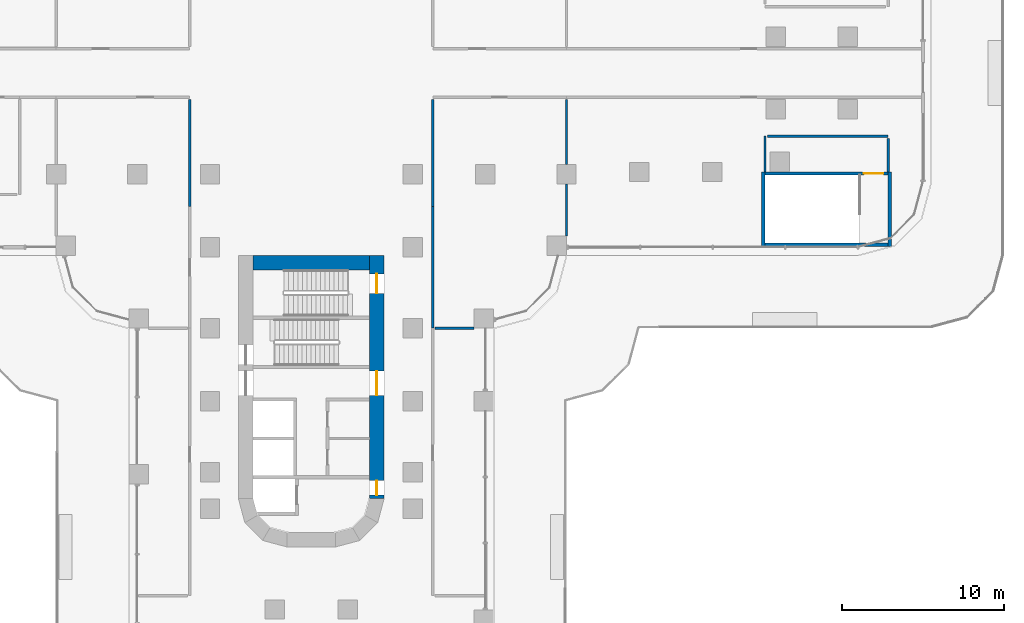
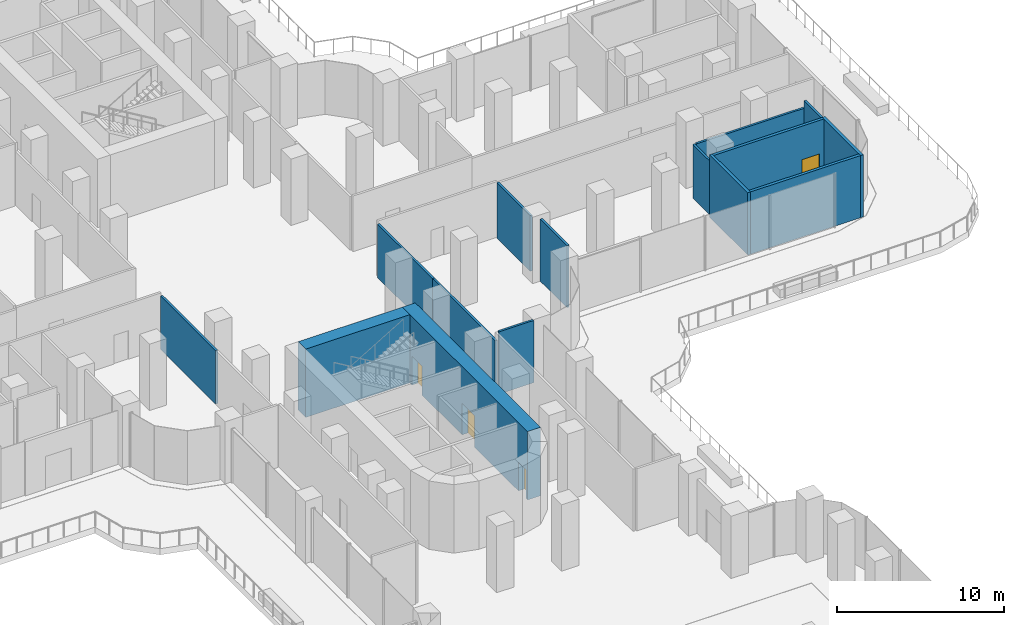
# One storey, part 14 of 21: 15 walls, 4 doors, 4 openings.
"""IFC4 building model written with IfcOpenShell, lengths in metres."""

from ifc_helpers import new_model, si_unit, direction, frame, frame_2d, origin, place, context, subcontext, project, spatial, rectangle, extrude, material, layer, layer_set, type_object, element, fill, save


model = new_model("IFC4")

# Units and contexts
model_context = context("Model", 3, precision=1e-05, world=origin(), true_north=direction((0.0, 1.0)))
body_context = subcontext(model_context, "Body", "Model", "MODEL_VIEW")
ifc_project = project(units=[si_unit("LENGTHUNIT", "METRE"), si_unit("AREAUNIT", "SQUARE_METRE"), si_unit("VOLUMEUNIT", "CUBIC_METRE"), si_unit("PLANEANGLEUNIT", "RADIAN"), si_unit("MASSUNIT", "GRAM", prefix="KILO")], contexts=[model_context])

# Site, building, storey
site_placement = place(None, origin())
site = spatial("IfcSite", under=ifc_project, at=site_placement, CompositionType="ELEMENT")
building_placement = place(site_placement, origin())
building = spatial("IfcBuilding", under=site, at=building_placement, Name="Zarbagh Exchange Tower", CompositionType="ELEMENT")
storey_placement = place(building_placement, frame((0.0, 0.0, 22.0)))
storey = spatial("IfcBuildingStorey", under=building, at=storey_placement, Name="L04", CompositionType="ELEMENT", Elevation=22.0)

# Walls
ifc_material_1 = material(Name="Plasterboard partition")
ifc_layer_1 = layer(ifc_material_1, 0.14990234375)
ifc_layer_set_1 = layer_set([ifc_layer_1], Name="Board partition 150")
wall_type_1 = type_object("IfcWallType", Name="Board partition 150", PredefinedType="PARTITIONING", material=ifc_layer_set_1)
wall_1_placement = place(storey_placement, frame((28.0, -6.10009765625, 0.0), z_axis=(0.0, 0.0, 1.0), x_axis=(0.0, 1.0, 0.0)))
element("IfcWall", 1, at=wall_1_placement, inside=storey, type_object=wall_type_1, Name="WL-L04-W012", PredefinedType="PARTITIONING", context=body_context, shape_type="SweptSolid", body=[
    extrude(rectangle(XDim=2.2001953125, YDim=0.14990234375, at=frame_2d((1.10009765625, 0.0))), origin(), (0.0, 0.0, 1.0), 3.929931640625),
])
wall_2_placement = place(storey_placement, frame((28.14990234375, -3.89990234375, 0.0), z_axis=(0.0, 0.0, 1.0), x_axis=(1.0, 0.0, 0.0)))
element("IfcWall", 2, at=wall_2_placement, inside=storey, type_object=wall_type_1, Name="WL-L04-W013", PredefinedType="PARTITIONING", context=body_context, shape_type="SweptSolid", body=[
    extrude(rectangle(XDim=7.4501953125, YDim=0.14990234375, at=frame_2d((3.72509765625, 0.0))), origin(), (0.0, 0.0, 1.0), 3.929931640625),
])
wall_3_placement = place(storey_placement, frame((35.60009765625, -4.050048828125, 0.0), z_axis=(0.0, 0.0, 1.0), x_axis=(0.0, -1.0, 0.0)))
element("IfcWall", 3, at=wall_3_placement, inside=storey, type_object=wall_type_1, Name="WL-L04-W014", PredefinedType="PARTITIONING", context=body_context, shape_type="SweptSolid", body=[
    extrude(rectangle(XDim=2.050048828125, YDim=0.14990234375, at=frame_2d((1.02490234375, 0.0))), origin(), (0.0, 0.0, 1.0), 4.550048828125),
])
wall_4_placement = place(storey_placement, frame((7.5, -8.25, 0.0), z_axis=(0.0, 0.0, 1.0), x_axis=(0.0, -1.0, 0.0)))
element("IfcWall", 4, at=wall_4_placement, inside=storey, type_object=wall_type_1, Name="WL-L04-W029", PredefinedType="PARTITIONING", context=body_context, shape_type="SweptSolid", body=[
    extrude(rectangle(XDim=7.5, YDim=0.14990234375, at=frame_2d((3.75, 0.0))), origin(), (0.0, 0.0, 1.0), 3.929931640625),
])
wall_5_placement = place(storey_placement, frame((15.75, -1.64990234375, 0.0), z_axis=(0.0, 0.0, 1.0), x_axis=(0.0, -1.0, 0.0)))
element("IfcWall", 5, at=wall_5_placement, inside=storey, type_object=wall_type_1, Name="WL-L04-W052", PredefinedType="PARTITIONING", context=body_context, shape_type="SweptSolid", body=[
    extrude(rectangle(XDim=4.0, YDim=0.14990234375, at=frame_2d((2.0, 0.0))), origin(), (0.0, 0.0, 1.0), 4.06298828125),
])
wall_6_placement = place(storey_placement, frame((15.75, -6.85009765625, 0.0), z_axis=(0.0, 0.0, 1.0), x_axis=(0.0, -1.0, 0.0)))
element("IfcWall", 6, at=wall_6_placement, inside=storey, type_object=wall_type_1, Name="WL-L04-W053", PredefinedType="PARTITIONING", context=body_context, shape_type="SweptSolid", body=[
    extrude(rectangle(XDim=3.199951171875, YDim=0.14990234375, at=frame_2d((1.60009765625, 0.0))), origin(), (0.0, 0.0, 1.0), 4.550048828125),
])
wall_7_placement = place(storey_placement, frame((10.050048828125, -15.75, 0.0), z_axis=(0.0, 0.0, 1.0), x_axis=(-1.0, 0.0, 0.0)))
element("IfcWall", 7, at=wall_7_placement, inside=storey, type_object=wall_type_1, Name="WL-L04-W054", PredefinedType="PARTITIONING", context=body_context, shape_type="SweptSolid", body=[
    extrude(rectangle(XDim=2.400146484375, YDim=0.14990234375, at=frame_2d((1.2001953125, 0.0))), origin(), (0.0, 0.0, 1.0), 4.550048828125),
])
for number, where, z_axis, x_axis, name in (
    (8, (7.5, -8.25, 0.0), (0.0, 0.0, 1.0), (0.0, 1.0, 0.0), "WL-L04-W055"),
    (9, (-7.5, -1.64990234375, 0.0), (0.0, 0.0, 1.0), (0.0, -1.0, 0.0), "WL-L04-W060"),
):
    element("IfcWall", number, at=place(storey_placement, frame(where, z_axis=z_axis, x_axis=x_axis)), inside=storey, type_object=wall_type_1, Name=name, PredefinedType="PARTITIONING", context=body_context, shape_type="SweptSolid", body=[
        extrude(rectangle(XDim=6.60009765625, YDim=0.14990234375, at=frame_2d((3.300048828125, 0.0))), origin(), (0.0, 0.0, 1.0), 3.91064453125),
    ])

# Wall, openings, doors
ifc_material_2 = material(Name="Concrete C60/75", Category="concrete")
ifc_layer_2 = layer(ifc_material_2, 0.89990234375)
ifc_layer_set_2 = layer_set([ifc_layer_2], Name="RC core wall 900 C60/75")
wall_type_2 = type_object("IfcWallType", Name="RC core wall 900 C60/75", PredefinedType="SHEAR", material=ifc_layer_set_2)
wall_8_placement = place(storey_placement, frame((4.050048828125, -11.25, 0.0), z_axis=(0.0, 0.0, 1.0), x_axis=(0.0, -1.0, 0.0)))
wall_8 = element("IfcWall", 10, at=wall_8_placement, inside=storey, type_object=wall_type_2, Name="CW1 core S E", PredefinedType="SHEAR", context=body_context, shape_type="SweptSolid", body=[
    extrude(rectangle(XDim=15.0, YDim=0.89990234375, at=frame_2d((7.5, 0.0))), origin(), (0.0, 0.0, 1.0), 5.0),
])
opening_1_placement = place(wall_8_placement, frame((7.14990234375, 0.0, 0.0)))
opening_1 = element("IfcOpeningElement", 11, at=opening_1_placement, cuts=wall_8, Name="Opening CD1-1500", PredefinedType="OPENING", context=body_context, shape_type="SweptSolid", body=[
    extrude(rectangle(XDim=1.5, YDim=2.300048828125, at=frame_2d((0.75, 1.14990234375))), frame((0.0, 0.4599609375, 0.0), z_axis=(0.0, -1.0, 0.0), x_axis=(1.0, 0.0, 0.0)), (0.0, 0.0, 1.0), 0.919921875),
])
opening_2_placement = place(wall_8_placement, frame((13.89990234375, 0.0, 0.0)))
opening_2 = element("IfcOpeningElement", 12, at=opening_2_placement, cuts=wall_8, Name="Opening CD2-900", PredefinedType="OPENING", context=body_context, shape_type="SweptSolid", body=[
    extrude(rectangle(XDim=0.89990234375, YDim=2.10009765625, at=frame_2d((0.449951171875, 1.050048828125))), frame((0.0, 0.4599609375, 0.0), z_axis=(0.0, -1.0, 0.0), x_axis=(1.0, 0.0, 0.0)), (0.0, 0.0, 1.0), 0.919921875),
])
opening_3_placement = place(wall_8_placement, frame((1.14990234375, 0.0, 0.0)))
opening_3 = element("IfcOpeningElement", 13, at=opening_3_placement, cuts=wall_8, Name="Opening SD1-1200", PredefinedType="OPENING", context=body_context, shape_type="SweptSolid", body=[
    extrude(rectangle(XDim=1.199951171875, YDim=2.10009765625, at=frame_2d((0.60009765625, 1.050048828125))), frame((0.0, 0.4599609375, 0.0), z_axis=(0.0, -1.0, 0.0), x_axis=(1.0, 0.0, 0.0)), (0.0, 0.0, 1.0), 0.919921875),
])
ifc_material_3 = material(Name="Steel", Category="steel")
door_type_1 = type_object("IfcDoorType", Name="Exit stair door 1200 x 2100", OperationType="NOTDEFINED", PredefinedType="DOOR", material=ifc_material_3)
door_1_placement = place(opening_3_placement, origin())
door_1 = element("IfcDoor", 14, at=door_1_placement, inside=storey, type_object=door_type_1, Name="South core stair door ST2", OperationType="SINGLE_SWING_RIGHT", OverallHeight=2.10009765625, OverallWidth=1.199951171875, PredefinedType="DOOR", context=body_context, shape_type="SweptSolid", body=[
    extrude(rectangle(XDim=1.199951171875, YDim=2.10009765625, at=frame_2d((0.60009765625, 1.050048828125))), frame((0.0, 0.02490234375, 0.0), z_axis=(0.0, -1.0, 0.0), x_axis=(1.0, 0.0, 0.0)), (0.0, 0.0, 1.0), 0.050048828125),
])
fill(opening_3, door_1)
door_type_2 = type_object("IfcDoorType", Name="Firefighting lobby door 900 x 2100", OperationType="NOTDEFINED", PredefinedType="DOOR", material=ifc_material_3)
door_2_placement = place(opening_2_placement, origin())
door_2 = element("IfcDoor", 15, at=door_2_placement, inside=storey, type_object=door_type_2, Name="South core firefighting lobby door FF-W", OperationType="SINGLE_SWING_RIGHT", OverallHeight=2.10009765625, OverallWidth=0.89990234375, PredefinedType="DOOR", context=body_context, shape_type="SweptSolid", body=[
    extrude(rectangle(XDim=0.89990234375, YDim=2.10009765625, at=frame_2d((0.449951171875, 1.050048828125))), frame((0.0, 0.02490234375, 0.0), z_axis=(0.0, -1.0, 0.0), x_axis=(1.0, 0.0, 0.0)), (0.0, 0.0, 1.0), 0.050048828125),
])
fill(opening_2, door_2)
door_type_3 = type_object("IfcDoorType", Name="Lift lobby double door 1500 x 2300", OperationType="NOTDEFINED", PredefinedType="DOOR", material=ifc_material_3)
door_3_placement = place(opening_1_placement, origin())
door_3 = element("IfcDoor", 16, at=door_3_placement, inside=storey, type_object=door_type_3, Name="South core lift lobby door LOBBY-W", OperationType="DOUBLE_DOOR_SINGLE_SWING", OverallHeight=2.300048828125, OverallWidth=1.5, PredefinedType="DOOR", context=body_context, shape_type="SweptSolid", body=[
    extrude(rectangle(XDim=1.5, YDim=2.300048828125, at=frame_2d((0.75, 1.14990234375))), frame((0.0, 0.02490234375, 0.0), z_axis=(0.0, -1.0, 0.0), x_axis=(1.0, 0.0, 0.0)), (0.0, 0.0, 1.0), 0.050048828125),
])
fill(opening_1, door_3)

# Walls
wall_9_placement = place(storey_placement, frame((-3.60009765625, -11.699951171875, 0.0), z_axis=(0.0, 0.0, 1.0), x_axis=(1.0, 0.0, 0.0)))
element("IfcWall", 17, at=wall_9_placement, inside=storey, type_object=wall_type_2, Name="CW1 core S inner end", PredefinedType="SHEAR", context=body_context, shape_type="SweptSolid", body=[
    extrude(rectangle(XDim=7.2001953125, YDim=0.89990234375, at=frame_2d((3.60009765625, 0.0))), origin(), (0.0, 0.0, 1.0), 5.0),
])
ifc_material_4 = material(Name="Concrete C40/50", Category="concrete")
ifc_layer_3 = layer(ifc_material_4, 0.199951171875)
ifc_layer_set_3 = layer_set([ifc_layer_3], Name="Stair enclosure wall 200 mm RC C40/50")
wall_type_3 = type_object("IfcWallType", Name="Stair enclosure wall 200 mm RC C40/50", PredefinedType="SHEAR", material=ifc_layer_set_3)
for number, where, z_axis, x_axis, name in (
    (18, (27.89990234375, -10.699951171875, 0.0), (0.0, 0.0, 1.0), (0.0, 1.0, 0.0), "Exit stair PS6 enclosure wall W"),
    (19, (35.699951171875, -10.699951171875, 0.0), (0.0, 0.0, 1.0), (0.0, 1.0, 0.0), "Exit stair PS6 enclosure wall E"),
):
    element("IfcWall", number, at=place(storey_placement, frame(where, z_axis=z_axis, x_axis=x_axis)), inside=storey, type_object=wall_type_3, Name=name, PredefinedType="SHEAR", context=body_context, shape_type="SweptSolid", body=[
        extrude(rectangle(XDim=4.599853515625, YDim=0.199951171875, at=frame_2d((2.2998046875, 0.0))), origin(), (0.0, 0.0, 1.0), 4.550048828125),
    ])
wall_10_placement = place(storey_placement, frame((28.0, -10.60009765625, 0.0), z_axis=(0.0, 0.0, 1.0), x_axis=(1.0, 0.0, 0.0)))
element("IfcWall", 20, at=wall_10_placement, inside=storey, type_object=wall_type_3, Name="Exit stair PS6 enclosure wall S", PredefinedType="SHEAR", context=body_context, shape_type="SweptSolid", body=[
    extrude(rectangle(XDim=7.60009765625, YDim=0.199951171875, at=frame_2d((3.800048828125, 0.0))), origin(), (0.0, 0.0, 1.0), 4.550048828125),
])

# Wall, opening, door
wall_11_placement = place(storey_placement, frame((28.0, -6.199951171875, 0.0), z_axis=(0.0, 0.0, 1.0), x_axis=(1.0, 0.0, 0.0)))
wall_11 = element("IfcWall", 21, at=wall_11_placement, inside=storey, type_object=wall_type_3, Name="Exit stair PS6 enclosure wall N", PredefinedType="SHEAR", context=body_context, shape_type="SweptSolid", body=[
    extrude(rectangle(XDim=7.60009765625, YDim=0.199951171875, at=frame_2d((3.800048828125, 0.0))), origin(), (0.0, 0.0, 1.0), 4.550048828125),
])
opening_4_placement = place(wall_11_placement, frame((6.10009765625, 0.0, 0.0)))
opening_4 = element("IfcOpeningElement", 22, at=opening_4_placement, cuts=wall_11, Name="Opening SD1-1200", PredefinedType="OPENING", context=body_context, shape_type="SweptSolid", body=[
    extrude(rectangle(XDim=1.199951171875, YDim=2.10009765625, at=frame_2d((0.60009765625, 1.050048828125))), frame((0.0, 0.10986328125, 0.0), z_axis=(0.0, -1.0, 0.0), x_axis=(1.0, 0.0, 0.0)), (0.0, 0.0, 1.0), 0.219970703125),
])
door_4_placement = place(opening_4_placement, origin())
door_4 = element("IfcDoor", 23, at=door_4_placement, inside=storey, type_object=door_type_1, Name="Exit stair PS6 entry door", OperationType="SINGLE_SWING_RIGHT", OverallHeight=2.10009765625, OverallWidth=1.199951171875, PredefinedType="DOOR", context=body_context, shape_type="SweptSolid", body=[
    extrude(rectangle(XDim=1.199951171875, YDim=2.10009765625, at=frame_2d((0.60009765625, 1.050048828125))), frame((0.0, 0.02490234375, 0.0), z_axis=(0.0, -1.0, 0.0), x_axis=(1.0, 0.0, 0.0)), (0.0, 0.0, 1.0), 0.050048828125),
])
fill(opening_4, door_4)

save(model, "model.ifc")
